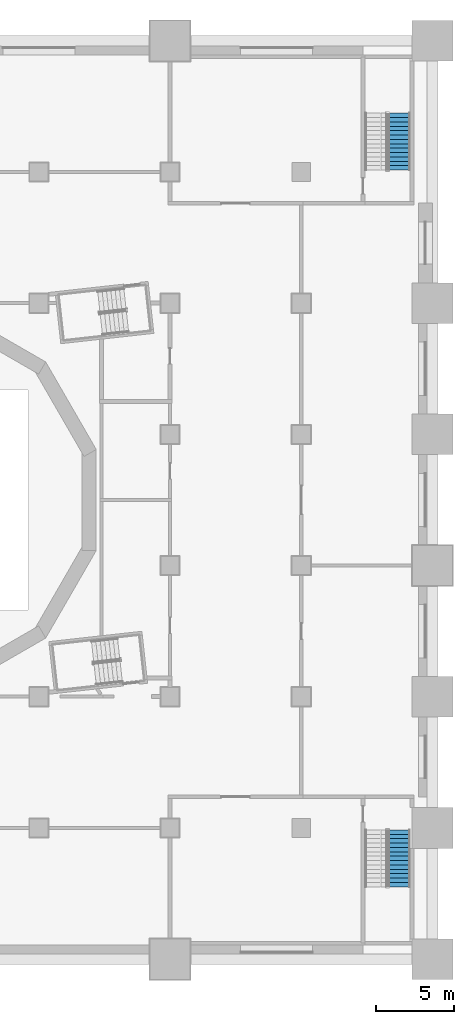
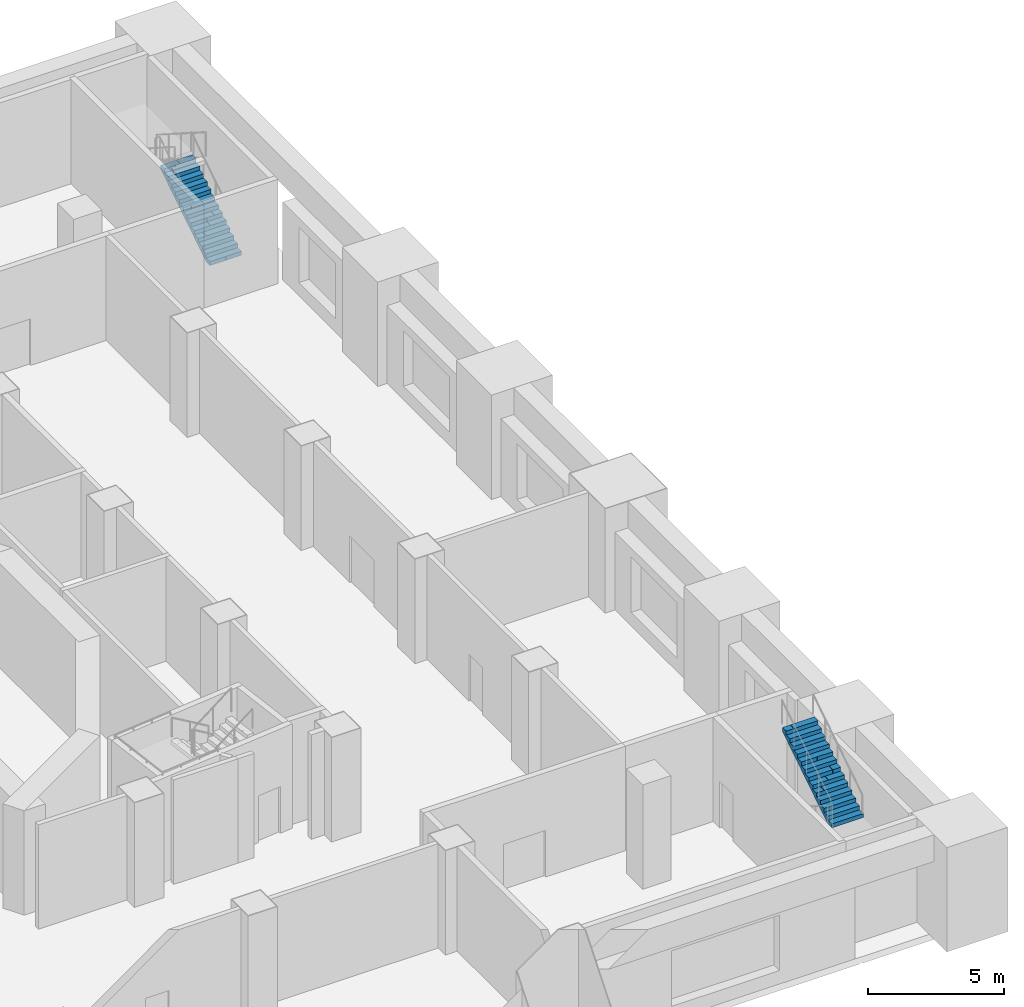
# One storey, part 8 of 17: 2 stair flights, 2 elements without a shape of their own.
"""IFC4 building model written with IfcOpenShell, lengths in metres."""

from ifc_helpers import new_model, si_unit, direction, frame, origin, place, context, subcontext, project, spatial, polyline, outline, extrude, material, type_object, element, aggregate, save


model = new_model("IFC4")

# Units and contexts
model_context = context("Model", 3, precision=1e-05, world=origin(), true_north=direction((0.0, 1.0)))
body_context = subcontext(model_context, "Body", "Model", "MODEL_VIEW")
ifc_project = project(units=[si_unit("LENGTHUNIT", "METRE"), si_unit("AREAUNIT", "SQUARE_METRE"), si_unit("VOLUMEUNIT", "CUBIC_METRE"), si_unit("PLANEANGLEUNIT", "RADIAN"), si_unit("MASSUNIT", "GRAM", prefix="KILO")], contexts=[model_context])

# Site, building, storey
site_placement = place(None, origin())
site = spatial("IfcSite", under=ifc_project, at=site_placement, CompositionType="ELEMENT")
building_placement = place(site_placement, origin())
building = spatial("IfcBuilding", under=site, at=building_placement, Name="Cantera Rosa Tower", CompositionType="ELEMENT")
storey_placement = place(building_placement, frame((0.0, 0.0, 27.0)))
storey = spatial("IfcBuildingStorey", under=building, at=storey_placement, Name="L04", CompositionType="ELEMENT", Elevation=27.0)

# Stair, stair flight
ifc_material_1 = material(Name="Concrete C35/45", Category="concrete")
stair_type = type_object("IfcStairType", Name="Stair half-turn 1350", PredefinedType="HALF_TURN_STAIR", material=ifc_material_1)
stair_1_placement = place(storey_placement, origin())
stair_1 = element("IfcStair", 1, at=stair_1_placement, inside=storey, type_object=stair_type, Name="L04 ST-NE", PredefinedType="HALF_TURN_STAIR")
ifc_material_2 = material(Name="Concrete C35/45", Category="concrete")
stair_flight_type = type_object("IfcStairFlightType", Name="Stair flight 1350", PredefinedType="STRAIGHT", material=ifc_material_2)
stair_flight_1_placement = place(storey_placement, frame((31.5, 21.125, 0.0), z_axis=(0.0, 0.0, 1.0), x_axis=(0.0, 1.0, 0.0)))
stair_flight_1 = element("IfcStairFlight", 2, at=stair_flight_1_placement, type_object=stair_flight_type, Name="ST-NE flight 1", NumberOfRisers=14, NumberOfTreads=13, PredefinedType="STRAIGHT", RiserHeight=0.178571429, TreadLength=0.28, context=body_context, shape_type="SweptSolid", body=[
    extrude(outline(polyline([(0.0, 0.0), (0.0, 0.178466796875), (0.280029296875, 0.178466796875), (0.280029296875, 0.357177734375), (0.56005859375, 0.357177734375), (0.56005859375, 0.53564453125), (0.840087890625, 0.53564453125), (0.840087890625, 0.71435546875), (1.1201171875, 0.71435546875), (1.1201171875, 0.892822265625), (1.39990234375, 0.892822265625), (1.39990234375, 1.071533203125), (1.679931640625, 1.071533203125), (1.679931640625, 1.25), (1.9599609375, 1.25), (1.9599609375, 1.428466796875), (2.239990234375, 1.428466796875), (2.239990234375, 1.607177734375), (2.52001953125, 1.607177734375), (2.52001953125, 1.78564453125), (2.800048828125, 1.78564453125), (2.800048828125, 1.96435546875), (3.080078125, 1.96435546875), (3.080078125, 2.142822265625), (3.360107421875, 2.142822265625), (3.360107421875, 2.321533203125), (3.639892578125, 2.321533203125), (3.639892578125, 2.5), (3.639892578125, 2.1435546875), (0.27880859375, 0.0), (0.0, 0.0)])), frame((0.0, 0.675048828125, 0.0), z_axis=(0.0, -1.0, 0.0), x_axis=(1.0, 0.0, 0.0)), (0.0, 0.0, 1.0), 0.3359375),
    extrude(outline(polyline([(0.0, 0.0), (0.0, 0.178466796875), (0.280029296875, 0.178466796875), (0.280029296875, 0.357177734375), (0.56005859375, 0.357177734375), (0.56005859375, 0.53564453125), (0.840087890625, 0.53564453125), (0.840087890625, 0.71435546875), (1.1201171875, 0.71435546875), (1.1201171875, 0.892822265625), (1.39990234375, 0.892822265625), (1.39990234375, 1.071533203125), (1.679931640625, 1.071533203125), (1.679931640625, 1.25), (1.9599609375, 1.25), (1.9599609375, 1.428466796875), (2.239990234375, 1.428466796875), (2.239990234375, 1.607177734375), (2.52001953125, 1.607177734375), (2.52001953125, 1.78564453125), (2.800048828125, 1.78564453125), (2.800048828125, 1.96435546875), (3.080078125, 1.96435546875), (3.080078125, 2.142822265625), (3.360107421875, 2.142822265625), (3.360107421875, 2.321533203125), (3.639892578125, 2.321533203125), (3.639892578125, 2.5), (3.639892578125, 2.1435546875), (0.27880859375, 0.0), (0.0, 0.0)])), frame((0.0, 0.337158203125, 0.0), z_axis=(0.0, -1.0, 0.0), x_axis=(1.0, 0.0, 0.0)), (0.0, 0.0, 1.0), 0.3359375),
    extrude(outline(polyline([(0.0, 0.0), (0.0, 0.178466796875), (0.280029296875, 0.178466796875), (0.280029296875, 0.357177734375), (0.56005859375, 0.357177734375), (0.56005859375, 0.53564453125), (0.840087890625, 0.53564453125), (0.840087890625, 0.71435546875), (1.1201171875, 0.71435546875), (1.1201171875, 0.892822265625), (1.39990234375, 0.892822265625), (1.39990234375, 1.071533203125), (1.679931640625, 1.071533203125), (1.679931640625, 1.25), (1.9599609375, 1.25), (1.9599609375, 1.428466796875), (2.239990234375, 1.428466796875), (2.239990234375, 1.607177734375), (2.52001953125, 1.607177734375), (2.52001953125, 1.78564453125), (2.800048828125, 1.78564453125), (2.800048828125, 1.96435546875), (3.080078125, 1.96435546875), (3.080078125, 2.142822265625), (3.360107421875, 2.142822265625), (3.360107421875, 2.321533203125), (3.639892578125, 2.321533203125), (3.639892578125, 2.5), (3.639892578125, 2.1435546875), (0.27880859375, 0.0), (0.0, 0.0)])), frame((0.0, -0.000732421875, 0.0), z_axis=(0.0, -1.0, 0.0), x_axis=(1.0, 0.0, 0.0)), (0.0, 0.0, 1.0), 0.3359375),
    extrude(outline(polyline([(0.0, 0.0), (0.0, 0.178466796875), (0.280029296875, 0.178466796875), (0.280029296875, 0.357177734375), (0.56005859375, 0.357177734375), (0.56005859375, 0.53564453125), (0.840087890625, 0.53564453125), (0.840087890625, 0.71435546875), (1.1201171875, 0.71435546875), (1.1201171875, 0.892822265625), (1.39990234375, 0.892822265625), (1.39990234375, 1.071533203125), (1.679931640625, 1.071533203125), (1.679931640625, 1.25), (1.9599609375, 1.25), (1.9599609375, 1.428466796875), (2.239990234375, 1.428466796875), (2.239990234375, 1.607177734375), (2.52001953125, 1.607177734375), (2.52001953125, 1.78564453125), (2.800048828125, 1.78564453125), (2.800048828125, 1.96435546875), (3.080078125, 1.96435546875), (3.080078125, 2.142822265625), (3.360107421875, 2.142822265625), (3.360107421875, 2.321533203125), (3.639892578125, 2.321533203125), (3.639892578125, 2.5), (3.639892578125, 2.1435546875), (0.27880859375, 0.0), (0.0, 0.0)])), frame((0.0, -0.338623046875, 0.0), z_axis=(0.0, -1.0, 0.0), x_axis=(1.0, 0.0, 0.0)), (0.0, 0.0, 1.0), 0.3359375),
])
aggregate(stair_1, [stair_flight_1])

stair_2_placement = place(storey_placement, origin())
stair_2 = element("IfcStair", 3, at=stair_2_placement, inside=storey, type_object=stair_type, Name="L04 ST-SE", PredefinedType="HALF_TURN_STAIR")
stair_flight_2_placement = place(storey_placement, frame((31.5, -24.764892578125, 2.5), z_axis=(0.0, 0.0, 1.0), x_axis=(0.0, 1.0, 0.0)))
stair_flight_2 = element("IfcStairFlight", 4, at=stair_flight_2_placement, type_object=stair_flight_type, Name="ST-SE flight 2", NumberOfRisers=14, NumberOfTreads=13, PredefinedType="STRAIGHT", RiserHeight=0.178571429, TreadLength=0.28, context=body_context, shape_type="SweptSolid", body=[
    extrude(outline(polyline([(0.0, 0.0), (0.0, 0.178466796875), (0.280029296875, 0.178466796875), (0.280029296875, 0.357177734375), (0.56005859375, 0.357177734375), (0.56005859375, 0.53564453125), (0.840087890625, 0.53564453125), (0.840087890625, 0.71435546875), (1.1201171875, 0.71435546875), (1.1201171875, 0.892822265625), (1.39990234375, 0.892822265625), (1.39990234375, 1.071533203125), (1.679931640625, 1.071533203125), (1.679931640625, 1.25), (1.9599609375, 1.25), (1.9599609375, 1.428466796875), (2.239990234375, 1.428466796875), (2.239990234375, 1.607177734375), (2.52001953125, 1.607177734375), (2.52001953125, 1.78564453125), (2.800048828125, 1.78564453125), (2.800048828125, 1.96435546875), (3.080078125, 1.96435546875), (3.080078125, 2.142822265625), (3.360107421875, 2.142822265625), (3.360107421875, 2.321533203125), (3.639892578125, 2.321533203125), (3.639892578125, 2.5), (3.639892578125, 2.1435546875), (0.27880859375, 0.0), (0.0, 0.0)])), frame((0.0, 0.675048828125, 0.0), z_axis=(0.0, -1.0, 0.0), x_axis=(1.0, 0.0, 0.0)), (0.0, 0.0, 1.0), 0.3359375),
    extrude(outline(polyline([(0.0, 0.0), (0.0, 0.178466796875), (0.280029296875, 0.178466796875), (0.280029296875, 0.357177734375), (0.56005859375, 0.357177734375), (0.56005859375, 0.53564453125), (0.840087890625, 0.53564453125), (0.840087890625, 0.71435546875), (1.1201171875, 0.71435546875), (1.1201171875, 0.892822265625), (1.39990234375, 0.892822265625), (1.39990234375, 1.071533203125), (1.679931640625, 1.071533203125), (1.679931640625, 1.25), (1.9599609375, 1.25), (1.9599609375, 1.428466796875), (2.239990234375, 1.428466796875), (2.239990234375, 1.607177734375), (2.52001953125, 1.607177734375), (2.52001953125, 1.78564453125), (2.800048828125, 1.78564453125), (2.800048828125, 1.96435546875), (3.080078125, 1.96435546875), (3.080078125, 2.142822265625), (3.360107421875, 2.142822265625), (3.360107421875, 2.321533203125), (3.639892578125, 2.321533203125), (3.639892578125, 2.5), (3.639892578125, 2.1435546875), (0.27880859375, 0.0), (0.0, 0.0)])), frame((0.0, 0.337158203125, 0.0), z_axis=(0.0, -1.0, 0.0), x_axis=(1.0, 0.0, 0.0)), (0.0, 0.0, 1.0), 0.3359375),
    extrude(outline(polyline([(0.0, 0.0), (0.0, 0.178466796875), (0.280029296875, 0.178466796875), (0.280029296875, 0.357177734375), (0.56005859375, 0.357177734375), (0.56005859375, 0.53564453125), (0.840087890625, 0.53564453125), (0.840087890625, 0.71435546875), (1.1201171875, 0.71435546875), (1.1201171875, 0.892822265625), (1.39990234375, 0.892822265625), (1.39990234375, 1.071533203125), (1.679931640625, 1.071533203125), (1.679931640625, 1.25), (1.9599609375, 1.25), (1.9599609375, 1.428466796875), (2.239990234375, 1.428466796875), (2.239990234375, 1.607177734375), (2.52001953125, 1.607177734375), (2.52001953125, 1.78564453125), (2.800048828125, 1.78564453125), (2.800048828125, 1.96435546875), (3.080078125, 1.96435546875), (3.080078125, 2.142822265625), (3.360107421875, 2.142822265625), (3.360107421875, 2.321533203125), (3.639892578125, 2.321533203125), (3.639892578125, 2.5), (3.639892578125, 2.1435546875), (0.27880859375, 0.0), (0.0, 0.0)])), frame((0.0, -0.000732421875, 0.0), z_axis=(0.0, -1.0, 0.0), x_axis=(1.0, 0.0, 0.0)), (0.0, 0.0, 1.0), 0.3359375),
    extrude(outline(polyline([(0.0, 0.0), (0.0, 0.178466796875), (0.280029296875, 0.178466796875), (0.280029296875, 0.357177734375), (0.56005859375, 0.357177734375), (0.56005859375, 0.53564453125), (0.840087890625, 0.53564453125), (0.840087890625, 0.71435546875), (1.1201171875, 0.71435546875), (1.1201171875, 0.892822265625), (1.39990234375, 0.892822265625), (1.39990234375, 1.071533203125), (1.679931640625, 1.071533203125), (1.679931640625, 1.25), (1.9599609375, 1.25), (1.9599609375, 1.428466796875), (2.239990234375, 1.428466796875), (2.239990234375, 1.607177734375), (2.52001953125, 1.607177734375), (2.52001953125, 1.78564453125), (2.800048828125, 1.78564453125), (2.800048828125, 1.96435546875), (3.080078125, 1.96435546875), (3.080078125, 2.142822265625), (3.360107421875, 2.142822265625), (3.360107421875, 2.321533203125), (3.639892578125, 2.321533203125), (3.639892578125, 2.5), (3.639892578125, 2.1435546875), (0.27880859375, 0.0), (0.0, 0.0)])), frame((0.0, -0.338623046875, 0.0), z_axis=(0.0, -1.0, 0.0), x_axis=(1.0, 0.0, 0.0)), (0.0, 0.0, 1.0), 0.3359375),
])
aggregate(stair_2, [stair_flight_2])

save(model, "model.ifc")
